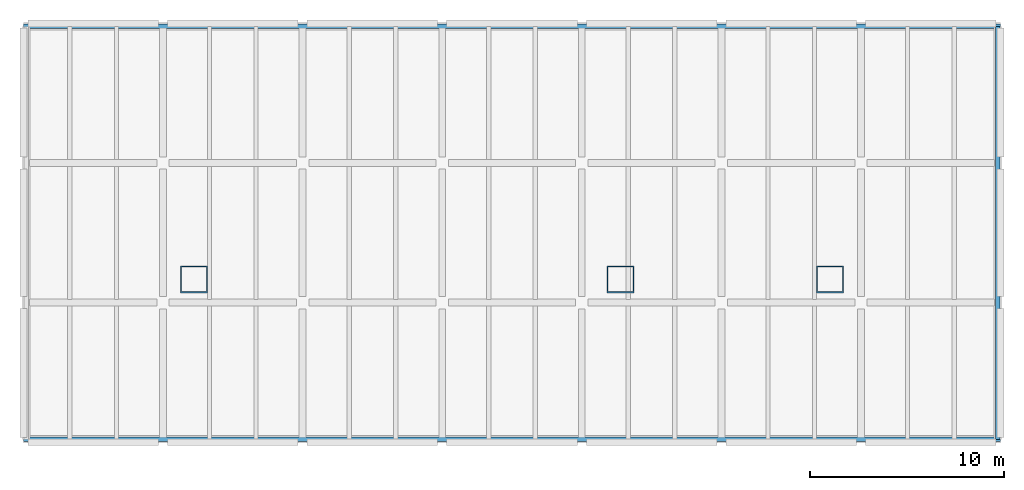
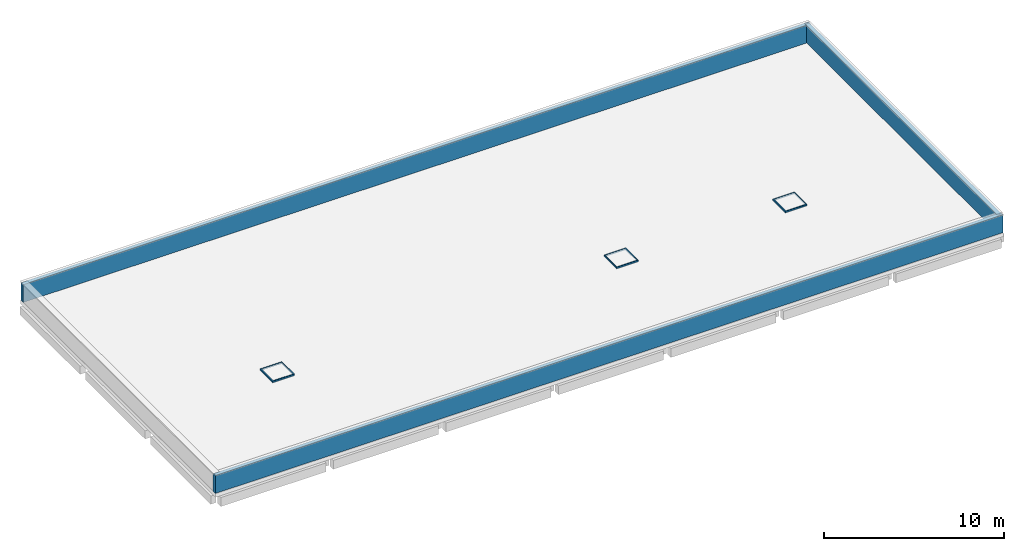
# One storey, part 2 of 2: 3 discrete accessories, 3 walls.
"""IFC4 building model written with IfcOpenShell, lengths in metres."""

from ifc_helpers import new_model, si_unit, direction, frame, frame_2d, origin, place, context, subcontext, project, spatial, polyline, rectangle, outline, extrude, material, layer, layer_set, type_object, element, save


model = new_model("IFC4")

# Units and contexts
model_context = context("Model", 3, precision=1e-05, world=origin(), true_north=direction((0.0, 1.0)))
body_context = subcontext(model_context, "Body", "Model", "MODEL_VIEW")
ifc_project = project(units=[si_unit("LENGTHUNIT", "METRE"), si_unit("AREAUNIT", "SQUARE_METRE"), si_unit("VOLUMEUNIT", "CUBIC_METRE"), si_unit("PLANEANGLEUNIT", "RADIAN"), si_unit("MASSUNIT", "GRAM", prefix="KILO")], contexts=[model_context])

# Site, building, storey
site_placement = place(None, origin())
site = spatial("IfcSite", under=ifc_project, at=site_placement, CompositionType="ELEMENT")
building_placement = place(site_placement, origin())
building = spatial("IfcBuilding", under=site, at=building_placement, Name="Qiaolan Assembly House", CompositionType="ELEMENT")
storey_placement = place(building_placement, frame((0.0, 0.0, 34.199951171875)))
storey = spatial("IfcBuildingStorey", under=building, at=storey_placement, Name="RF", CompositionType="ELEMENT", Elevation=34.199951171875)

# Walls
ifc_material = material(Name="Precast concrete C40/50", Category="concrete")
ifc_layer = layer(ifc_material, 0.25)
ifc_layer_set = layer_set([ifc_layer], Name="Precast concrete C40/50")
wall_type = type_object("IfcWallType", Name="WAL-PARAPET-250", PredefinedType="PARAPET", material=ifc_layer_set)
for number, where, z_axis, x_axis, name in (
    (1, (43.199951171875, 115.050048828125, 0.0), (0.0, 0.0, 1.0), (1.0, 0.0, 0.0), "PW-250 neoclassical cornice parapet wall PAR-NW-RF-N"),
    (2, (93.60009765625, 93.75, 0.0), (0.0, 0.0, 1.0), (-1.0, 0.0, 0.0), "PW-250 neoclassical cornice parapet wall PAR-NW-RF-S"),
):
    element("IfcWall", number, at=place(storey_placement, frame(where, z_axis=z_axis, x_axis=x_axis)), inside=storey, type_object=wall_type, Name=name, PredefinedType="PARAPET", context=body_context, shape_type="SweptSolid", body=[
        extrude(rectangle(XDim=50.400146484375, YDim=0.25, at=frame_2d((25.2001953125, 0.0))), origin(), (0.0, 0.0, 1.0), 1.199951171875),
    ])
wall_placement = place(storey_placement, frame((93.449951171875, 115.050048828125, 0.0), z_axis=(0.0, 0.0, 1.0), x_axis=(0.0, -1.0, 0.0)))
element("IfcWall", 3, at=wall_placement, inside=storey, type_object=wall_type, Name="PW-250 neoclassical cornice parapet wall PAR-NW-RF-E", PredefinedType="PARAPET", context=body_context, shape_type="SweptSolid", body=[
    extrude(rectangle(XDim=21.300048828125, YDim=0.25, at=frame_2d((10.64990234375, 0.0))), origin(), (0.0, 0.0, 1.0), 1.199951171875),
])

# Discrete accessories
for number, where, name in (
    (4, (52.0, 102.0, 0.0), "RH-01 insulated aluminium thermal upstand curb HTH-RF-1"),
    (5, (74.0, 102.0, 0.0), "RH-01 insulated aluminium thermal upstand curb HTH-RF-2"),
    (6, (84.800048828125, 102.0, 0.0), "RH-01 insulated aluminium thermal upstand curb HTH-RF-3"),
):
    element("IfcDiscreteAccessory", number, at=place(storey_placement, frame(where)), inside=storey, Name=name, ObjectType="ROOF_HATCH_CURB", PredefinedType="USERDEFINED", context=body_context, shape_type="SweptSolid", body=[
        extrude(outline(polyline([(-0.699951171875, -0.699951171875), (0.699951171875, -0.699951171875), (0.699951171875, 0.699951171875), (-0.699951171875, 0.699951171875), (-0.699951171875, -0.699951171875)]), holes=[polyline([(-0.639892578125, -0.639892578125), (-0.639892578125, 0.639892578125), (0.639892578125, 0.639892578125), (0.639892578125, -0.639892578125), (-0.639892578125, -0.639892578125)])]), origin(), (0.0, 0.0, 1.0), 0.10009765625),
    ])

save(model, "model.ifc")
